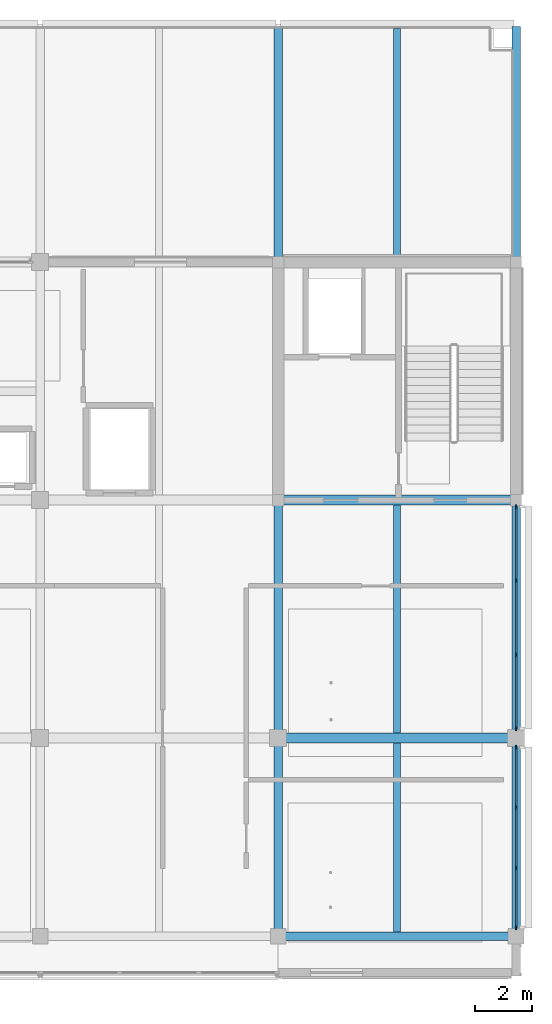
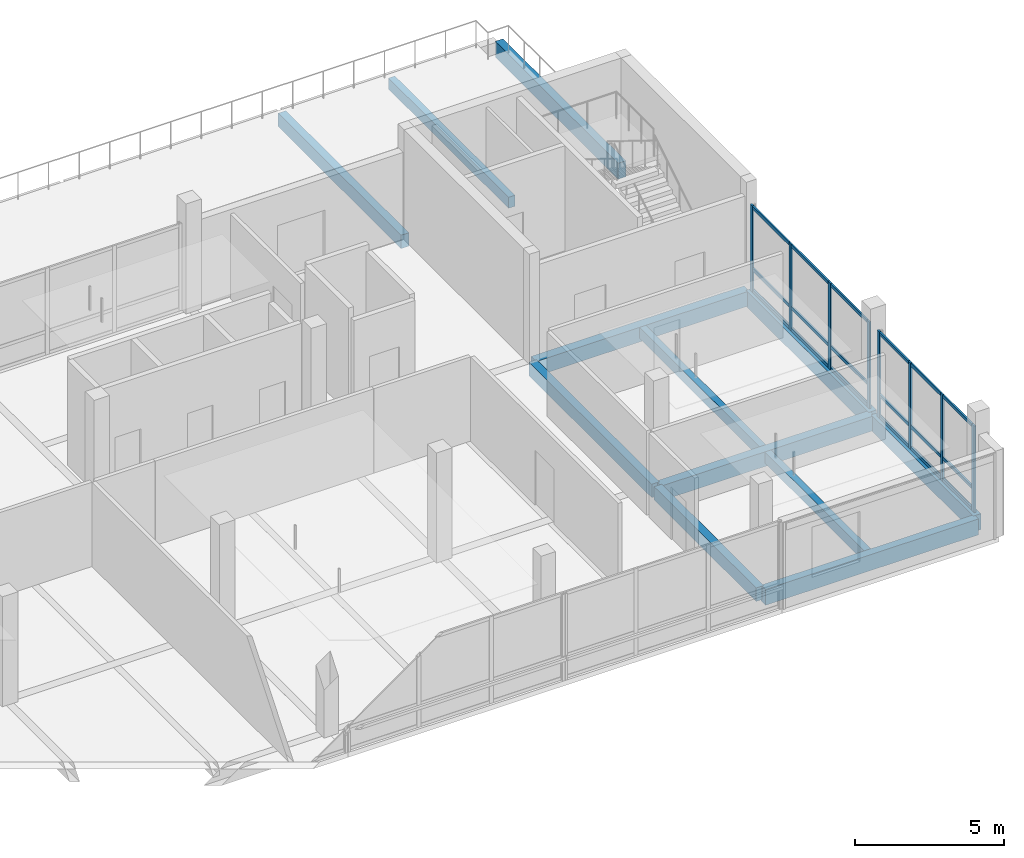
# One storey, part 6 of 25: 26 members, 12 beams, 2 elements without a shape of their own.
"""IFC4 building model written with IfcOpenShell, lengths in metres."""

from ifc_helpers import new_model, si_unit, direction, frame, origin, origin_2d, place, context, subcontext, project, spatial, rectangle, extrude, material, layer, layer_set, material_profile, profile_set, type_object, element, aggregate, save


model = new_model("IFC4")

# Units and contexts
model_context = context("Model", 3, precision=1e-05, world=origin(), true_north=direction((0.0, 1.0)))
body_context = subcontext(model_context, "Body", "Model", "MODEL_VIEW")
ifc_project = project(units=[si_unit("LENGTHUNIT", "METRE"), si_unit("AREAUNIT", "SQUARE_METRE"), si_unit("VOLUMEUNIT", "CUBIC_METRE"), si_unit("PLANEANGLEUNIT", "RADIAN"), si_unit("MASSUNIT", "GRAM", prefix="KILO")], contexts=[model_context])

# Site, building, storey
site_placement = place(None, origin())
site = spatial("IfcSite", under=ifc_project, at=site_placement, CompositionType="ELEMENT")
building_placement = place(site_placement, origin())
building = spatial("IfcBuilding", under=site, at=building_placement, Name="Telukmera Botanical Conservatory", CompositionType="ELEMENT")
storey_placement = place(building_placement, frame((0.0, 0.0, 64.5)))
storey = spatial("IfcBuildingStorey", under=building, at=storey_placement, Name="L14", CompositionType="ELEMENT", Elevation=64.5)

# Beams
ifc_material_1 = material(Name="Concrete C40/50", Category="concrete")
ifc_material_profile_1 = material_profile(ifc_material_1, rectangle(XDim=0.300048828125, YDim=0.550048828125, at=origin_2d()), Name="RC 300x550")
ifc_profile_set_1 = profile_set([ifc_material_profile_1], Name="Concrete C40/50")
beam_type_1 = type_object("IfcBeamType", Name="Beam_B10", PredefinedType="BEAM", material=ifc_profile_set_1)
beam_1_placement = place(storey_placement, frame((92.39990234375, 10.679931640625, -0.27490234375), z_axis=(0.0, 1.0, 0.0), x_axis=(-1.0, 0.0, 0.0)))
element("IfcBeam", 1, at=beam_1_placement, inside=storey, type_object=beam_type_1, Name="Tower Transverse Beam L14", PredefinedType="BEAM", context=body_context, shape_type="SweptSolid", body=[
    extrude(rectangle(XDim=0.300048828125, YDim=0.550048828125, at=origin_2d()), origin(), (0.0, 0.0, 1.0), 6.840087890625),
])
for number, where, z_axis, x_axis, name in (
    (2, (92.39990234375, 17.679931640625, -0.27490234375), (0.0, 1.0, 0.0), (-1.0, 0.0, 0.0), "Tower Transverse Beam L14"),
    (3, (92.39990234375, 34.47998046875, -0.27490234375), (0.0, 1.0, 0.0), (-1.0, 0.0, 0.0), "Tower Transverse Beam L14"),
):
    element("IfcBeam", number, at=place(storey_placement, frame(where, z_axis=z_axis, x_axis=x_axis)), inside=storey, type_object=beam_type_1, Name=name, PredefinedType="BEAM", context=body_context, shape_type="SweptSolid", body=[
        extrude(rectangle(XDim=0.300048828125, YDim=0.550048828125, at=origin_2d()), origin(), (0.0, 0.0, 1.0), 8.239990234375),
    ])
ifc_material_profile_2 = material_profile(ifc_material_1, rectangle(XDim=0.25, YDim=0.449951171875, at=origin_2d()), Name="RC 250x450")
ifc_profile_set_2 = profile_set([ifc_material_profile_2], Name="Concrete C40/50")
beam_type_2 = type_object("IfcBeamType", Name="Beam_B27", PredefinedType="JOIST", material=ifc_profile_set_2)
beam_2_placement = place(storey_placement, frame((96.60009765625, 10.75, -0.22509765625), z_axis=(0.0, 1.0, 0.0), x_axis=(-1.0, 0.0, 0.0)))
element("IfcBeam", 4, at=beam_2_placement, inside=storey, type_object=beam_type_2, Name="Tower Secondary Floor Joist L14", PredefinedType="JOIST", context=body_context, shape_type="SweptSolid", body=[
    extrude(rectangle(XDim=0.25, YDim=0.449951171875, at=origin_2d()), origin(), (0.0, 0.0, 1.0), 6.675048828125),
])
beam_3_placement = place(storey_placement, frame((96.60009765625, 17.77490234375, -0.22509765625), z_axis=(0.0, 1.0, 0.0), x_axis=(-1.0, 0.0, 0.0)))
element("IfcBeam", 5, at=beam_3_placement, inside=storey, type_object=beam_type_2, Name="Tower Secondary Floor Joist L14", PredefinedType="JOIST", context=body_context, shape_type="SweptSolid", body=[
    extrude(rectangle(XDim=0.25, YDim=0.449951171875, at=origin_2d()), origin(), (0.0, 0.0, 1.0), 8.050048828125),
])
beam_4_placement = place(storey_placement, frame((96.60009765625, 34.60009765625, -0.22509765625), z_axis=(0.0, 1.0, 0.0), x_axis=(-1.0, 0.0, 0.0)))
element("IfcBeam", 6, at=beam_4_placement, inside=storey, type_object=beam_type_2, Name="Tower Secondary Floor Joist L14", PredefinedType="JOIST", context=body_context, shape_type="SweptSolid", body=[
    extrude(rectangle(XDim=0.25, YDim=0.449951171875, at=origin_2d()), origin(), (0.0, 0.0, 1.0), 8.0498046875),
])
ifc_material_profile_3 = material_profile(ifc_material_1, rectangle(XDim=0.35009765625, YDim=0.60009765625, at=origin_2d()), Name="RC 350x600")
ifc_profile_set_3 = profile_set([ifc_material_profile_3], Name="Concrete C40/50")
beam_type_3 = type_object("IfcBeamType", Name="Beam_B9", PredefinedType="BEAM", material=ifc_profile_set_3)
for number, where, z_axis, x_axis, name in (
    (7, (92.47998046875, 17.60009765625, -0.300048828125), (1.0, 0.0, 0.0), (0.0, 1.0, 0.0), "Tower Grid Beam L14"),
    (8, (92.47998046875, 26.0, -0.300048828125), (1.0, 0.0, 0.0), (0.0, 1.0, 0.0), "Tower Grid Beam L14"),
):
    element("IfcBeam", number, at=place(storey_placement, frame(where, z_axis=z_axis, x_axis=x_axis)), inside=storey, type_object=beam_type_3, Name=name, PredefinedType="BEAM", context=body_context, shape_type="SweptSolid", body=[
        extrude(rectangle(XDim=0.35009765625, YDim=0.60009765625, at=origin_2d()), origin(), (0.0, 0.0, 1.0), 8.239990234375),
    ])
ifc_material_2 = material(Name="Precast concrete C40/50", Category="concrete")
ifc_material_profile_4 = material_profile(ifc_material_2, rectangle(XDim=0.300048828125, YDim=0.64990234375, at=origin_2d()), Name="PC 300x650")
ifc_profile_set_4 = profile_set([ifc_material_profile_4], Name="Precast concrete C40/50")
beam_type_4 = type_object("IfcBeamType", Name="Beam_SP4", PredefinedType="SPANDREL", material=ifc_profile_set_4)
beam_5_placement = place(storey_placement, frame((92.47998046875, 10.60009765625, -0.324951171875), z_axis=(1.0, 0.0, 0.0), x_axis=(0.0, 1.0, 0.0)))
element("IfcBeam", 9, at=beam_5_placement, inside=storey, type_object=beam_type_4, Name="Tower Grid Beam L14", PredefinedType="SPANDREL", context=body_context, shape_type="SweptSolid", body=[
    extrude(rectangle(XDim=0.300048828125, YDim=0.64990234375, at=origin_2d()), origin(), (0.0, 0.0, 1.0), 8.239990234375),
])
beam_6_placement = place(storey_placement, frame((100.800048828125, 10.679931640625, -0.324951171875), z_axis=(0.0, 1.0, 0.0), x_axis=(-1.0, 0.0, 0.0)))
element("IfcBeam", 10, at=beam_6_placement, inside=storey, type_object=beam_type_4, Name="Tower Transverse Beam L14", PredefinedType="SPANDREL", context=body_context, shape_type="SweptSolid", body=[
    extrude(rectangle(XDim=0.300048828125, YDim=0.64990234375, at=origin_2d()), origin(), (0.0, 0.0, 1.0), 6.840087890625),
])
for number, where, z_axis, x_axis, name in (
    (11, (100.800048828125, 17.679931640625, -0.324951171875), (0.0, 1.0, 0.0), (-1.0, 0.0, 0.0), "Tower Transverse Beam L14"),
    (12, (100.800048828125, 34.47998046875, -0.324951171875), (0.0, 1.0, 0.0), (-1.0, 0.0, 0.0), "Tower Transverse Beam L14"),
):
    element("IfcBeam", number, at=place(storey_placement, frame(where, z_axis=z_axis, x_axis=x_axis)), inside=storey, type_object=beam_type_4, Name=name, PredefinedType="SPANDREL", context=body_context, shape_type="SweptSolid", body=[
        extrude(rectangle(XDim=0.300048828125, YDim=0.64990234375, at=origin_2d()), origin(), (0.0, 0.0, 1.0), 8.239990234375),
    ])

# Curtain wall, members
ifc_material_3 = material(Name="Anodised aluminium 6063-T6", Category="aluminium")
ifc_layer = layer(ifc_material_3, 0.179931640625)
ifc_layer_set = layer_set([ifc_layer], Name="Anodised aluminium 6063-T6")
curtain_wall_type = type_object("IfcCurtainWallType", Name="Tower Sky Gallery Panoramic Curtain Wall", PredefinedType="USERDEFINED", material=ifc_layer_set)
curtain_wall_1_placement = place(storey_placement, origin())
curtain_wall_1 = element("IfcCurtainWall", 13, at=curtain_wall_1_placement, inside=storey, type_object=curtain_wall_type, Name="Unitised Curtain Wall CW16 V4:L14:E1", ObjectType="UNITISED CURTAIN WALL", PredefinedType="USERDEFINED")
ifc_material_profile_5 = material_profile(ifc_material_3, rectangle(XDim=0.06494140625, YDim=0.159912109375, at=origin_2d()), Name="ALU MULL 65x160")
ifc_profile_set_5 = profile_set([ifc_material_profile_5], Name="Anodised aluminium 6063-T6")
member_type_1 = type_object("IfcMemberType", Name="Curtain Wall Extruded Mullion 65x160", PredefinedType="MULLION", material=ifc_profile_set_5)
member_1_placement = place(storey_placement, frame((100.800048828125, 10.909423828125, 0.0), z_axis=(0.0, 0.0, 1.0), x_axis=(-1.0, 0.0, 0.0)))
member_1 = element("IfcMember", 14, at=member_1_placement, type_object=member_type_1, Name="CW16 mullion 1", PredefinedType="MULLION", context=body_context, shape_type="SweptSolid", body=[
    extrude(rectangle(XDim=0.06494140625, YDim=0.159912109375, at=origin_2d()), origin(), (0.0, 0.0, 1.0), 3.550048828125),
])
member_2_placement = place(storey_placement, frame((100.800048828125, 13.017333984375, 0.0), z_axis=(0.0, 0.0, 1.0), x_axis=(-1.0, 0.0, 0.0)))
member_2 = element("IfcMember", 15, at=member_2_placement, type_object=member_type_1, Name="CW16 mullion 2", PredefinedType="MULLION", context=body_context, shape_type="SweptSolid", body=[
    extrude(rectangle(XDim=0.06494140625, YDim=0.159912109375, at=origin_2d()), origin(), (0.0, 0.0, 1.0), 3.550048828125),
])
member_3_placement = place(storey_placement, frame((100.800048828125, 15.15771484375, 0.0), z_axis=(0.0, 0.0, 1.0), x_axis=(-1.0, 0.0, 0.0)))
member_3 = element("IfcMember", 16, at=member_3_placement, type_object=member_type_1, Name="CW16 mullion 3", PredefinedType="MULLION", context=body_context, shape_type="SweptSolid", body=[
    extrude(rectangle(XDim=0.06494140625, YDim=0.159912109375, at=origin_2d()), origin(), (0.0, 0.0, 1.0), 3.550048828125),
])
member_4_placement = place(storey_placement, frame((100.800048828125, 17.265380859375, 0.0), z_axis=(0.0, 0.0, 1.0), x_axis=(-1.0, 0.0, 0.0)))
member_4 = element("IfcMember", 17, at=member_4_placement, type_object=member_type_1, Name="CW16 mullion 4", PredefinedType="MULLION", context=body_context, shape_type="SweptSolid", body=[
    extrude(rectangle(XDim=0.06494140625, YDim=0.159912109375, at=origin_2d()), origin(), (0.0, 0.0, 1.0), 3.550048828125),
])

curtain_wall_2_placement = place(storey_placement, origin())
curtain_wall_2 = element("IfcCurtainWall", 18, at=curtain_wall_2_placement, inside=storey, type_object=curtain_wall_type, Name="Unitised Curtain Wall CW16 V4:L14:E2", ObjectType="UNITISED CURTAIN WALL", PredefinedType="USERDEFINED")
member_5_placement = place(storey_placement, frame((100.800048828125, 17.9345703125, 0.0), z_axis=(0.0, 0.0, 1.0), x_axis=(-1.0, 0.0, 0.0)))
member_5 = element("IfcMember", 19, at=member_5_placement, type_object=member_type_1, Name="CW16 mullion 1", PredefinedType="MULLION", context=body_context, shape_type="SweptSolid", body=[
    extrude(rectangle(XDim=0.06494140625, YDim=0.159912109375, at=origin_2d()), origin(), (0.0, 0.0, 1.0), 3.550048828125),
])
member_6_placement = place(storey_placement, frame((100.800048828125, 20.533935546875, 0.0), z_axis=(0.0, 0.0, 1.0), x_axis=(-1.0, 0.0, 0.0)))
member_6 = element("IfcMember", 20, at=member_6_placement, type_object=member_type_1, Name="CW16 mullion 2", PredefinedType="MULLION", context=body_context, shape_type="SweptSolid", body=[
    extrude(rectangle(XDim=0.06494140625, YDim=0.159912109375, at=origin_2d()), origin(), (0.0, 0.0, 1.0), 3.550048828125),
])
member_7_placement = place(storey_placement, frame((100.800048828125, 23.166015625, 0.0), z_axis=(0.0, 0.0, 1.0), x_axis=(-1.0, 0.0, 0.0)))
member_7 = element("IfcMember", 21, at=member_7_placement, type_object=member_type_1, Name="CW16 mullion 3", PredefinedType="MULLION", context=body_context, shape_type="SweptSolid", body=[
    extrude(rectangle(XDim=0.06494140625, YDim=0.159912109375, at=origin_2d()), origin(), (0.0, 0.0, 1.0), 3.550048828125),
])
member_8_placement = place(storey_placement, frame((100.800048828125, 25.765380859375, 0.0), z_axis=(0.0, 0.0, 1.0), x_axis=(-1.0, 0.0, 0.0)))
member_8 = element("IfcMember", 22, at=member_8_placement, type_object=member_type_1, Name="CW16 mullion 4", PredefinedType="MULLION", context=body_context, shape_type="SweptSolid", body=[
    extrude(rectangle(XDim=0.06494140625, YDim=0.159912109375, at=origin_2d()), origin(), (0.0, 0.0, 1.0), 3.550048828125),
])

# Member
ifc_material_profile_6 = material_profile(ifc_material_3, rectangle(XDim=0.06494140625, YDim=0.1298828125, at=origin_2d()), Name="ALU TRAN 65x130")
ifc_profile_set_6 = profile_set([ifc_material_profile_6], Name="Anodised aluminium 6063-T6")
member_type_2 = type_object("IfcMemberType", Name="Curtain Wall Extruded Transom 65x130", PredefinedType="USERDEFINED", material=ifc_profile_set_6)
member_9_placement = place(storey_placement, frame((100.800048828125, 10.94189453125, 0.06494140625), z_axis=(0.0, 1.0, 0.0), x_axis=(-1.0, 0.0, 0.0)))
member_9 = element("IfcMember", 23, at=member_9_placement, type_object=member_type_2, Name="CW16 transom 1.1", ObjectType="TRANSOM", PredefinedType="USERDEFINED", context=body_context, shape_type="SweptSolid", body=[
    extrude(rectangle(XDim=0.06494140625, YDim=0.1298828125, at=origin_2d()), origin(), (0.0, 0.0, 1.0), 2.04296875),
])

member_10_placement = place(storey_placement, frame((100.800048828125, 10.94189453125, 0.949951171875), z_axis=(0.0, 1.0, 0.0), x_axis=(-1.0, 0.0, 0.0)))
member_10 = element("IfcMember", 24, at=member_10_placement, type_object=member_type_2, Name="CW16 transom 1.2", ObjectType="TRANSOM", PredefinedType="USERDEFINED", context=body_context, shape_type="SweptSolid", body=[
    extrude(rectangle(XDim=0.06494140625, YDim=0.1298828125, at=origin_2d()), origin(), (0.0, 0.0, 1.0), 2.04296875),
])

member_11_placement = place(storey_placement, frame((100.800048828125, 10.94189453125, 3.485107421875), z_axis=(0.0, 1.0, 0.0), x_axis=(-1.0, 0.0, 0.0)))
member_11 = element("IfcMember", 25, at=member_11_placement, type_object=member_type_2, Name="CW16 transom 1.3", ObjectType="TRANSOM", PredefinedType="USERDEFINED", context=body_context, shape_type="SweptSolid", body=[
    extrude(rectangle(XDim=0.06494140625, YDim=0.1298828125, at=origin_2d()), origin(), (0.0, 0.0, 1.0), 2.04296875),
])

member_12_placement = place(storey_placement, frame((100.800048828125, 13.0498046875, 0.06494140625), z_axis=(0.0, 1.0, 0.0), x_axis=(-1.0, 0.0, 0.0)))
member_12 = element("IfcMember", 26, at=member_12_placement, type_object=member_type_2, Name="CW16 transom 2.1", ObjectType="TRANSOM", PredefinedType="USERDEFINED", context=body_context, shape_type="SweptSolid", body=[
    extrude(rectangle(XDim=0.06494140625, YDim=0.1298828125, at=origin_2d()), origin(), (0.0, 0.0, 1.0), 2.075439453125),
])

member_13_placement = place(storey_placement, frame((100.800048828125, 13.0498046875, 0.949951171875), z_axis=(0.0, 1.0, 0.0), x_axis=(-1.0, 0.0, 0.0)))
member_13 = element("IfcMember", 27, at=member_13_placement, type_object=member_type_2, Name="CW16 transom 2.2", ObjectType="TRANSOM", PredefinedType="USERDEFINED", context=body_context, shape_type="SweptSolid", body=[
    extrude(rectangle(XDim=0.06494140625, YDim=0.1298828125, at=origin_2d()), origin(), (0.0, 0.0, 1.0), 2.075439453125),
])

member_14_placement = place(storey_placement, frame((100.800048828125, 13.0498046875, 3.485107421875), z_axis=(0.0, 1.0, 0.0), x_axis=(-1.0, 0.0, 0.0)))
member_14 = element("IfcMember", 28, at=member_14_placement, type_object=member_type_2, Name="CW16 transom 2.3", ObjectType="TRANSOM", PredefinedType="USERDEFINED", context=body_context, shape_type="SweptSolid", body=[
    extrude(rectangle(XDim=0.06494140625, YDim=0.1298828125, at=origin_2d()), origin(), (0.0, 0.0, 1.0), 2.075439453125),
])

member_15_placement = place(storey_placement, frame((100.800048828125, 15.190185546875, 0.06494140625), z_axis=(0.0, 1.0, 0.0), x_axis=(-1.0, 0.0, 0.0)))
member_15 = element("IfcMember", 29, at=member_15_placement, type_object=member_type_2, Name="CW16 transom 3.1", ObjectType="TRANSOM", PredefinedType="USERDEFINED", context=body_context, shape_type="SweptSolid", body=[
    extrude(rectangle(XDim=0.06494140625, YDim=0.1298828125, at=origin_2d()), origin(), (0.0, 0.0, 1.0), 2.042724609375),
])

member_16_placement = place(storey_placement, frame((100.800048828125, 15.190185546875, 0.949951171875), z_axis=(0.0, 1.0, 0.0), x_axis=(-1.0, 0.0, 0.0)))
member_16 = element("IfcMember", 30, at=member_16_placement, type_object=member_type_2, Name="CW16 transom 3.2", ObjectType="TRANSOM", PredefinedType="USERDEFINED", context=body_context, shape_type="SweptSolid", body=[
    extrude(rectangle(XDim=0.06494140625, YDim=0.1298828125, at=origin_2d()), origin(), (0.0, 0.0, 1.0), 2.042724609375),
])

member_17_placement = place(storey_placement, frame((100.800048828125, 15.190185546875, 3.485107421875), z_axis=(0.0, 1.0, 0.0), x_axis=(-1.0, 0.0, 0.0)))
member_17 = element("IfcMember", 31, at=member_17_placement, type_object=member_type_2, Name="CW16 transom 3.3", ObjectType="TRANSOM", PredefinedType="USERDEFINED", context=body_context, shape_type="SweptSolid", body=[
    extrude(rectangle(XDim=0.06494140625, YDim=0.1298828125, at=origin_2d()), origin(), (0.0, 0.0, 1.0), 2.042724609375),
])

aggregate(curtain_wall_1, [member_1, member_2, member_3, member_4, member_9, member_10, member_11, member_12, member_13, member_14, member_15, member_16, member_17])

member_18_placement = place(storey_placement, frame((100.800048828125, 17.967041015625, 0.06494140625), z_axis=(0.0, 1.0, 0.0), x_axis=(-1.0, 0.0, 0.0)))
member_18 = element("IfcMember", 32, at=member_18_placement, type_object=member_type_2, Name="CW16 transom 1.1", ObjectType="TRANSOM", PredefinedType="USERDEFINED", context=body_context, shape_type="SweptSolid", body=[
    extrude(rectangle(XDim=0.06494140625, YDim=0.1298828125, at=origin_2d()), origin(), (0.0, 0.0, 1.0), 2.534423828125),
])

member_19_placement = place(storey_placement, frame((100.800048828125, 17.967041015625, 0.949951171875), z_axis=(0.0, 1.0, 0.0), x_axis=(-1.0, 0.0, 0.0)))
member_19 = element("IfcMember", 33, at=member_19_placement, type_object=member_type_2, Name="CW16 transom 1.2", ObjectType="TRANSOM", PredefinedType="USERDEFINED", context=body_context, shape_type="SweptSolid", body=[
    extrude(rectangle(XDim=0.06494140625, YDim=0.1298828125, at=origin_2d()), origin(), (0.0, 0.0, 1.0), 2.534423828125),
])

member_20_placement = place(storey_placement, frame((100.800048828125, 17.967041015625, 3.485107421875), z_axis=(0.0, 1.0, 0.0), x_axis=(-1.0, 0.0, 0.0)))
member_20 = element("IfcMember", 34, at=member_20_placement, type_object=member_type_2, Name="CW16 transom 1.3", ObjectType="TRANSOM", PredefinedType="USERDEFINED", context=body_context, shape_type="SweptSolid", body=[
    extrude(rectangle(XDim=0.06494140625, YDim=0.1298828125, at=origin_2d()), origin(), (0.0, 0.0, 1.0), 2.534423828125),
])

member_21_placement = place(storey_placement, frame((100.800048828125, 20.56640625, 0.06494140625), z_axis=(0.0, 1.0, 0.0), x_axis=(-1.0, 0.0, 0.0)))
member_21 = element("IfcMember", 35, at=member_21_placement, type_object=member_type_2, Name="CW16 transom 2.1", ObjectType="TRANSOM", PredefinedType="USERDEFINED", context=body_context, shape_type="SweptSolid", body=[
    extrude(rectangle(XDim=0.06494140625, YDim=0.1298828125, at=origin_2d()), origin(), (0.0, 0.0, 1.0), 2.567138671875),
])

member_22_placement = place(storey_placement, frame((100.800048828125, 20.56640625, 0.949951171875), z_axis=(0.0, 1.0, 0.0), x_axis=(-1.0, 0.0, 0.0)))
member_22 = element("IfcMember", 36, at=member_22_placement, type_object=member_type_2, Name="CW16 transom 2.2", ObjectType="TRANSOM", PredefinedType="USERDEFINED", context=body_context, shape_type="SweptSolid", body=[
    extrude(rectangle(XDim=0.06494140625, YDim=0.1298828125, at=origin_2d()), origin(), (0.0, 0.0, 1.0), 2.567138671875),
])

member_23_placement = place(storey_placement, frame((100.800048828125, 20.56640625, 3.485107421875), z_axis=(0.0, 1.0, 0.0), x_axis=(-1.0, 0.0, 0.0)))
member_23 = element("IfcMember", 37, at=member_23_placement, type_object=member_type_2, Name="CW16 transom 2.3", ObjectType="TRANSOM", PredefinedType="USERDEFINED", context=body_context, shape_type="SweptSolid", body=[
    extrude(rectangle(XDim=0.06494140625, YDim=0.1298828125, at=origin_2d()), origin(), (0.0, 0.0, 1.0), 2.567138671875),
])

member_24_placement = place(storey_placement, frame((100.800048828125, 23.198486328125, 0.06494140625), z_axis=(0.0, 1.0, 0.0), x_axis=(-1.0, 0.0, 0.0)))
member_24 = element("IfcMember", 38, at=member_24_placement, type_object=member_type_2, Name="CW16 transom 3.1", ObjectType="TRANSOM", PredefinedType="USERDEFINED", context=body_context, shape_type="SweptSolid", body=[
    extrude(rectangle(XDim=0.06494140625, YDim=0.1298828125, at=origin_2d()), origin(), (0.0, 0.0, 1.0), 2.534423828125),
])

member_25_placement = place(storey_placement, frame((100.800048828125, 23.198486328125, 0.949951171875), z_axis=(0.0, 1.0, 0.0), x_axis=(-1.0, 0.0, 0.0)))
member_25 = element("IfcMember", 39, at=member_25_placement, type_object=member_type_2, Name="CW16 transom 3.2", ObjectType="TRANSOM", PredefinedType="USERDEFINED", context=body_context, shape_type="SweptSolid", body=[
    extrude(rectangle(XDim=0.06494140625, YDim=0.1298828125, at=origin_2d()), origin(), (0.0, 0.0, 1.0), 2.534423828125),
])

member_26_placement = place(storey_placement, frame((100.800048828125, 23.198486328125, 3.485107421875), z_axis=(0.0, 1.0, 0.0), x_axis=(-1.0, 0.0, 0.0)))
member_26 = element("IfcMember", 40, at=member_26_placement, type_object=member_type_2, Name="CW16 transom 3.3", ObjectType="TRANSOM", PredefinedType="USERDEFINED", context=body_context, shape_type="SweptSolid", body=[
    extrude(rectangle(XDim=0.06494140625, YDim=0.1298828125, at=origin_2d()), origin(), (0.0, 0.0, 1.0), 2.534423828125),
])

aggregate(curtain_wall_2, [member_5, member_6, member_7, member_8, member_18, member_19, member_20, member_21, member_22, member_23, member_24, member_25, member_26])

save(model, "model.ifc")
